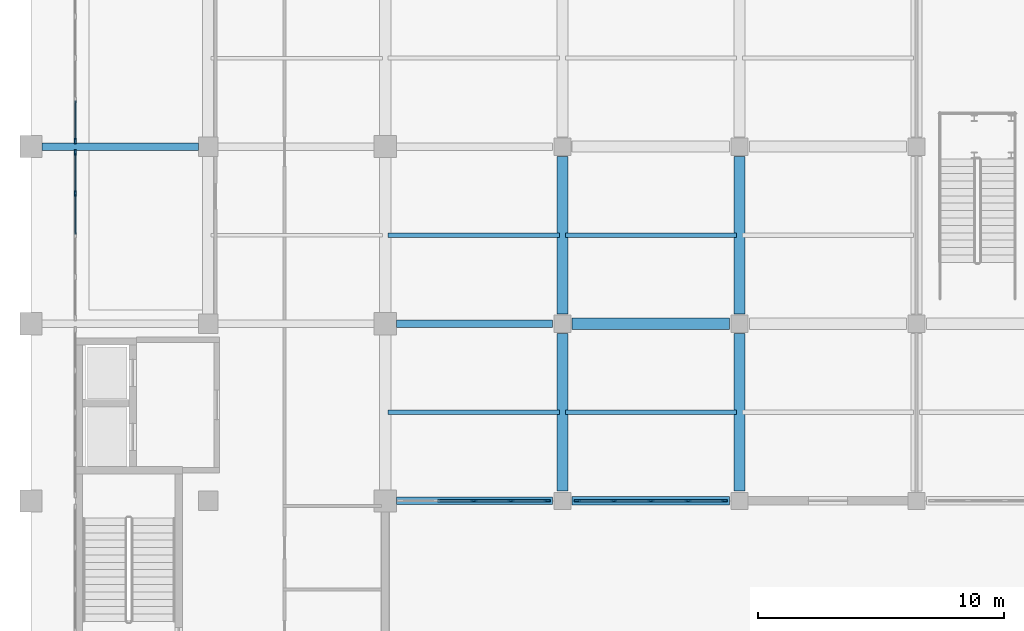
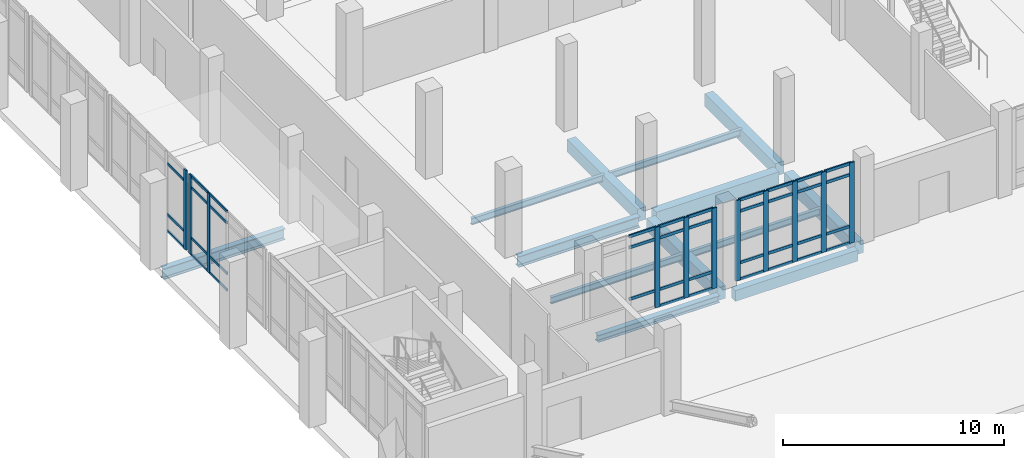
# One storey, part 10 of 59: 49 members, 13 beams, 4 elements without a shape of their own.
"""IFC4 building model written with IfcOpenShell, lengths in metres."""

from ifc_helpers import new_model, si_unit, direction, frame, origin, origin_2d, place, context, subcontext, project, spatial, rectangle, i_section, extrude, material, layer, layer_set, material_profile, profile_set, type_object, element, aggregate, save


model = new_model("IFC4")

# Units and contexts
model_context = context("Model", 3, precision=1e-05, world=origin(), true_north=direction((0.0, 1.0)))
body_context = subcontext(model_context, "Body", "Model", "MODEL_VIEW")
ifc_project = project(units=[si_unit("LENGTHUNIT", "METRE"), si_unit("AREAUNIT", "SQUARE_METRE"), si_unit("VOLUMEUNIT", "CUBIC_METRE"), si_unit("PLANEANGLEUNIT", "RADIAN"), si_unit("MASSUNIT", "GRAM", prefix="KILO")], contexts=[model_context])

# Site, building, storey
site_placement = place(None, origin())
site = spatial("IfcSite", under=ifc_project, at=site_placement, CompositionType="ELEMENT")
building_placement = place(site_placement, origin())
building = spatial("IfcBuilding", under=site, at=building_placement, Name="Valkovuoma Quantum and Materials Research Institute", CompositionType="ELEMENT")
storey_placement = place(building_placement, origin())
storey = spatial("IfcBuildingStorey", under=building, at=storey_placement, Name="L00", CompositionType="ELEMENT", Elevation=0.0)

# Beams
ifc_material_1 = material(Name="Steel S355J2", Category="steel")
ifc_material_profile_1 = material_profile(ifc_material_1, i_section(OverallWidth=0.300048828125, OverallDepth=0.389892578125, WebThickness=0.010986328125, FlangeThickness=0.01904296875, FilletRadius=0.027099609375, at=origin_2d()), Name="Steel S355J2")
ifc_profile_set_1 = profile_set([ifc_material_profile_1], Name="Steel S355J2")
beam_type_1 = type_object("IfcBeamType", Name="Beam-B-HEA400", PredefinedType="SPANDREL", material=ifc_profile_set_1)
beam_1_placement = place(storey_placement, frame((14.85009765625, 36.0, -0.594970703125), z_axis=(1.0, 0.0, 0.0), x_axis=(0.0, 1.0, 0.0)))
element("IfcBeam", 1, at=beam_1_placement, inside=storey, type_object=beam_type_1, Name="L00 beam X-0033", PredefinedType="SPANDREL", context=body_context, shape_type="SweptSolid", body=[
    extrude(i_section(OverallWidth=0.300048828125, OverallDepth=0.389892578125, WebThickness=0.010986328125, FlangeThickness=0.01904296875, FilletRadius=0.027099609375, at=origin_2d()), origin(), (0.0, 0.0, 1.0), 6.349853515625),
])
ifc_material_2 = material(Name="Steel S355J2", Category="steel")
ifc_material_profile_2 = material_profile(ifc_material_2, i_section(OverallWidth=0.300048828125, OverallDepth=0.60009765625, WebThickness=0.015380859375, FlangeThickness=0.030029296875, FilletRadius=0.027099609375, at=origin_2d()), Name="Steel S355J2")
ifc_profile_set_2 = profile_set([ifc_material_profile_2], Name="Steel S355J2")
beam_type_2 = type_object("IfcBeamType", Name="Beam-B-HEB600", PredefinedType="BEAM", material=ifc_profile_set_2)
beam_2_placement = place(storey_placement, frame((14.85009765625, 43.199951171875, -0.699951171875), z_axis=(1.0, 0.0, 0.0), x_axis=(0.0, 1.0, 0.0)))
element("IfcBeam", 2, at=beam_2_placement, inside=storey, type_object=beam_type_2, Name="L00 beam X-0056", PredefinedType="BEAM", context=body_context, shape_type="SweptSolid", body=[
    extrude(i_section(OverallWidth=0.300048828125, OverallDepth=0.60009765625, WebThickness=0.015380859375, FlangeThickness=0.030029296875, FilletRadius=0.027099609375, at=origin_2d()), origin(), (0.0, 0.0, 1.0), 6.349853515625),
])
beam_3_placement = place(storey_placement, frame((0.449951171875, 50.39990234375, -0.699951171875), z_axis=(1.0, 0.0, 0.0), x_axis=(0.0, 1.0, 0.0)))
element("IfcBeam", 3, at=beam_3_placement, inside=storey, type_object=beam_type_2, Name="L00 beam X-0074", PredefinedType="BEAM", context=body_context, shape_type="SweptSolid", body=[
    extrude(i_section(OverallWidth=0.300048828125, OverallDepth=0.60009765625, WebThickness=0.015380859375, FlangeThickness=0.030029296875, FilletRadius=0.027099609375, at=origin_2d()), origin(), (0.0, 0.0, 1.0), 6.35009765625),
])
ifc_material_3 = material(Name="Steel S355J2", Category="steel")
ifc_material_profile_3 = material_profile(ifc_material_3, i_section(OverallWidth=0.169921875, OverallDepth=0.360107421875, WebThickness=0.008056640625, FlangeThickness=0.0126953125, FilletRadius=0.01806640625, at=origin_2d()), Name="Steel S355J2")
ifc_profile_set_3 = profile_set([ifc_material_profile_3], Name="Steel S355J2")
beam_type_3 = type_object("IfcBeamType", Name="Beam-B-JST360", PredefinedType="JOIST", material=ifc_profile_set_3)
for number, where, z_axis, x_axis, name in (
    (4, (14.52001953125, 39.60009765625, -0.580078125), (1.0, 0.0, 0.0), (0.0, 1.0, 0.0), "L00 floor joist 0418"),
    (5, (21.719970703125, 39.60009765625, -0.580078125), (1.0, 0.0, 0.0), (0.0, 1.0, 0.0), "L00 floor joist 0419"),
    (6, (14.52001953125, 46.800048828125, -0.580078125), (1.0, 0.0, 0.0), (0.0, 1.0, 0.0), "L00 floor joist 0437"),
    (7, (21.719970703125, 46.800048828125, -0.580078125), (1.0, 0.0, 0.0), (0.0, 1.0, 0.0), "L00 floor joist 0438"),
):
    element("IfcBeam", number, at=place(storey_placement, frame(where, z_axis=z_axis, x_axis=x_axis)), inside=storey, type_object=beam_type_3, Name=name, PredefinedType="JOIST", context=body_context, shape_type="SweptSolid", body=[
        extrude(i_section(OverallWidth=0.169921875, OverallDepth=0.360107421875, WebThickness=0.008056640625, FlangeThickness=0.0126953125, FilletRadius=0.01806640625, at=origin_2d()), origin(), (0.0, 0.0, 1.0), 6.9599609375),
    ])
ifc_material_4 = material(Name="Concrete C40/50", Category="concrete")
ifc_material_profile_4 = material_profile(ifc_material_4, rectangle(XDim=0.449951171875, YDim=0.699951171875, at=origin_2d()), Name="Concrete C40/50")
ifc_profile_set_4 = profile_set([ifc_material_profile_4], Name="Concrete C40/50")
beam_type_4 = type_object("IfcBeamType", Name="Beam-B-RC700", PredefinedType="BEAM", material=ifc_profile_set_4)
beam_4_placement = place(storey_placement, frame((22.0, 43.199951171875, -0.75), z_axis=(1.0, 0.0, 0.0), x_axis=(0.0, 1.0, 0.0)))
element("IfcBeam", 8, at=beam_4_placement, inside=storey, type_object=beam_type_4, Name="L00 beam X-0057", PredefinedType="BEAM", context=body_context, shape_type="SweptSolid", body=[
    extrude(rectangle(XDim=0.449951171875, YDim=0.699951171875, at=origin_2d()), origin(), (0.0, 0.0, 1.0), 6.39990234375),
])
beam_5_placement = place(storey_placement, frame((21.60009765625, 36.39990234375, -0.75), z_axis=(0.0, 1.0, 0.0), x_axis=(-1.0, 0.0, 0.0)))
element("IfcBeam", 9, at=beam_5_placement, inside=storey, type_object=beam_type_4, Name="L00 beam Y-0216", PredefinedType="BEAM", context=body_context, shape_type="SweptSolid", body=[
    extrude(rectangle(XDim=0.449951171875, YDim=0.699951171875, at=origin_2d()), origin(), (0.0, 0.0, 1.0), 6.400146484375),
])
beam_6_placement = place(storey_placement, frame((21.60009765625, 43.60009765625, -0.75), z_axis=(0.0, 1.0, 0.0), x_axis=(-1.0, 0.0, 0.0)))
element("IfcBeam", 10, at=beam_6_placement, inside=storey, type_object=beam_type_4, Name="L00 beam Y-0217", PredefinedType="BEAM", context=body_context, shape_type="SweptSolid", body=[
    extrude(rectangle(XDim=0.449951171875, YDim=0.699951171875, at=origin_2d()), origin(), (0.0, 0.0, 1.0), 6.39990234375),
])
beam_7_placement = place(storey_placement, frame((28.800048828125, 36.39990234375, -0.75), z_axis=(0.0, 1.0, 0.0), x_axis=(-1.0, 0.0, 0.0)))
element("IfcBeam", 11, at=beam_7_placement, inside=storey, type_object=beam_type_4, Name="L00 beam Y-0226", PredefinedType="BEAM", context=body_context, shape_type="SweptSolid", body=[
    extrude(rectangle(XDim=0.449951171875, YDim=0.699951171875, at=origin_2d()), origin(), (0.0, 0.0, 1.0), 6.400146484375),
])
beam_8_placement = place(storey_placement, frame((28.800048828125, 43.60009765625, -0.75), z_axis=(0.0, 1.0, 0.0), x_axis=(-1.0, 0.0, 0.0)))
element("IfcBeam", 12, at=beam_8_placement, inside=storey, type_object=beam_type_4, Name="L00 beam Y-0227", PredefinedType="BEAM", context=body_context, shape_type="SweptSolid", body=[
    extrude(rectangle(XDim=0.449951171875, YDim=0.699951171875, at=origin_2d()), origin(), (0.0, 0.0, 1.0), 6.39990234375),
])
ifc_material_5 = material(Name="Concrete C40/50", Category="concrete")
ifc_material_profile_5 = material_profile(ifc_material_5, rectangle(XDim=0.35009765625, YDim=0.60009765625, at=origin_2d()), Name="Concrete C40/50")
ifc_profile_set_5 = profile_set([ifc_material_profile_5], Name="Concrete C40/50")
beam_type_5 = type_object("IfcBeamType", Name="Beam-B-SPN600", PredefinedType="SPANDREL", material=ifc_profile_set_5)
beam_9_placement = place(storey_placement, frame((22.0, 36.0, -0.699951171875), z_axis=(1.0, 0.0, 0.0), x_axis=(0.0, 1.0, 0.0)))
element("IfcBeam", 13, at=beam_9_placement, inside=storey, type_object=beam_type_5, Name="L00 beam X-0034", PredefinedType="SPANDREL", context=body_context, shape_type="SweptSolid", body=[
    extrude(rectangle(XDim=0.35009765625, YDim=0.60009765625, at=origin_2d()), origin(), (0.0, 0.0, 1.0), 6.39990234375),
])

# Curtain wall, members
ifc_material_6 = material(Name="Thermally broken aluminium and triple low-E glazing", Category="aluminium")
ifc_layer_1 = layer(ifc_material_6, 0.219970703125)
ifc_layer_set_1 = layer_set([ifc_layer_1], Name="Thermally broken aluminium and triple low-E glazing")
curtain_wall_type_1 = type_object("IfcCurtainWallType", Name="CW-CW-03", PredefinedType="NOTDEFINED", material=ifc_layer_set_1)
curtain_wall_1_placement = place(storey_placement, origin())
curtain_wall_1 = element("IfcCurtainWall", 14, at=curtain_wall_1_placement, inside=storey, type_object=curtain_wall_type_1, Name="L00 curtain wall 002", PredefinedType="NOTDEFINED")
ifc_material_7 = material(Name="Anodised aluminium 6060-T66", Category="aluminium")
ifc_material_profile_6 = material_profile(ifc_material_7, rectangle(XDim=0.074951171875, YDim=0.219970703125, at=origin_2d()), Name="Anodised aluminium 6060-T66")
ifc_profile_set_6 = profile_set([ifc_material_profile_6], Name="Anodised aluminium 6060-T66")
member_type_1 = type_object("IfcMemberType", Name="CWMull-CWM-02", PredefinedType="MULLION", material=ifc_profile_set_6)
member_1_placement = place(storey_placement, frame((1.800048828125, 48.5, 0.0), z_axis=(0.0, 0.0, 1.0), x_axis=(-1.0, 0.0, 0.0)))
member_1 = element("IfcMember", 15, at=member_1_placement, type_object=member_type_1, Name="CW-03 mullion 4", PredefinedType="MULLION", context=body_context, shape_type="SweptSolid", body=[
    extrude(rectangle(XDim=0.074951171875, YDim=0.219970703125, at=origin_2d()), origin(), (0.0, 0.0, 1.0), 4.39990234375),
])
member_2_placement = place(storey_placement, frame((1.800048828125, 50.16259765625, 0.0), z_axis=(0.0, 0.0, 1.0), x_axis=(-1.0, 0.0, 0.0)))
member_2 = element("IfcMember", 16, at=member_2_placement, type_object=member_type_1, Name="CW-03 mullion 5", PredefinedType="MULLION", context=body_context, shape_type="SweptSolid", body=[
    extrude(rectangle(XDim=0.074951171875, YDim=0.219970703125, at=origin_2d()), origin(), (0.0, 0.0, 1.0), 4.39990234375),
])

# Curtain wall, member
curtain_wall_2_placement = place(storey_placement, origin())
curtain_wall_2 = element("IfcCurtainWall", 17, at=curtain_wall_2_placement, inside=storey, type_object=curtain_wall_type_1, Name="L00 curtain wall 003", PredefinedType="NOTDEFINED")
member_3_placement = place(storey_placement, frame((1.800048828125, 50.637451171875, 0.0), z_axis=(0.0, 0.0, 1.0), x_axis=(-1.0, 0.0, 0.0)))
member_3 = element("IfcMember", 18, at=member_3_placement, type_object=member_type_1, Name="CW-03 mullion 1", PredefinedType="MULLION", context=body_context, shape_type="SweptSolid", body=[
    extrude(rectangle(XDim=0.074951171875, YDim=0.219970703125, at=origin_2d()), origin(), (0.0, 0.0, 1.0), 4.39990234375),
])

# Curtain wall, members
ifc_material_8 = material(Name="Thermally broken aluminium and triple low-E glazing", Category="aluminium")
ifc_layer_2 = layer(ifc_material_8, 0.219970703125)
ifc_layer_set_2 = layer_set([ifc_layer_2], Name="Thermally broken aluminium and triple low-E glazing")
curtain_wall_type_2 = type_object("IfcCurtainWallType", Name="CW-CW-02", PredefinedType="NOTDEFINED", material=ifc_layer_set_2)
curtain_wall_3_placement = place(storey_placement, origin())
curtain_wall_3 = element("IfcCurtainWall", 19, at=curtain_wall_3_placement, inside=storey, type_object=curtain_wall_type_2, Name="L00 curtain wall 147", PredefinedType="NOTDEFINED")
ifc_material_9 = material(Name="Anodised aluminium 6060-T66", Category="aluminium")
ifc_material_profile_7 = material_profile(ifc_material_9, rectangle(XDim=0.080078125, YDim=0.260009765625, at=origin_2d()), Name="Anodised aluminium 6060-T66")
ifc_profile_set_7 = profile_set([ifc_material_profile_7], Name="Anodised aluminium 6060-T66")
member_type_2 = type_object("IfcMemberType", Name="CWMull-CWM-03", PredefinedType="MULLION", material=ifc_profile_set_7)
member_4_placement = place(storey_placement, frame((18.0, 36.0, 0.0), z_axis=(0.0, 0.0, 1.0), x_axis=(0.0, 1.0, 0.0)))
member_4 = element("IfcMember", 20, at=member_4_placement, type_object=member_type_2, Name="CW-02 mullion 3", PredefinedType="MULLION", context=body_context, shape_type="SweptSolid", body=[
    extrude(rectangle(XDim=0.080078125, YDim=0.260009765625, at=origin_2d()), origin(), (0.0, 0.0, 1.0), 4.449951171875),
])
member_5_placement = place(storey_placement, frame((19.510009765625, 36.0, 0.0), z_axis=(0.0, 0.0, 1.0), x_axis=(0.0, 1.0, 0.0)))
member_5 = element("IfcMember", 21, at=member_5_placement, type_object=member_type_2, Name="CW-02 mullion 4", PredefinedType="MULLION", context=body_context, shape_type="SweptSolid", body=[
    extrude(rectangle(XDim=0.080078125, YDim=0.260009765625, at=origin_2d()), origin(), (0.0, 0.0, 1.0), 4.449951171875),
])
member_6_placement = place(storey_placement, frame((20.97998046875, 36.0, 0.0), z_axis=(0.0, 0.0, 1.0), x_axis=(0.0, 1.0, 0.0)))
member_6 = element("IfcMember", 22, at=member_6_placement, type_object=member_type_2, Name="CW-02 mullion 5", PredefinedType="MULLION", context=body_context, shape_type="SweptSolid", body=[
    extrude(rectangle(XDim=0.080078125, YDim=0.260009765625, at=origin_2d()), origin(), (0.0, 0.0, 1.0), 4.449951171875),
])

curtain_wall_4_placement = place(storey_placement, origin())
curtain_wall_4 = element("IfcCurtainWall", 23, at=curtain_wall_4_placement, inside=storey, type_object=curtain_wall_type_2, Name="L00 curtain wall 148", PredefinedType="NOTDEFINED")
member_7_placement = place(storey_placement, frame((22.219970703125, 36.0, 0.0), z_axis=(0.0, 0.0, 1.0), x_axis=(0.0, 1.0, 0.0)))
member_7 = element("IfcMember", 24, at=member_7_placement, type_object=member_type_2, Name="CW-02 mullion 1", PredefinedType="MULLION", context=body_context, shape_type="SweptSolid", body=[
    extrude(rectangle(XDim=0.080078125, YDim=0.260009765625, at=origin_2d()), origin(), (0.0, 0.0, 1.0), 4.449951171875),
])
member_8_placement = place(storey_placement, frame((23.68994140625, 36.0, 0.0), z_axis=(0.0, 0.0, 1.0), x_axis=(0.0, 1.0, 0.0)))
member_8 = element("IfcMember", 25, at=member_8_placement, type_object=member_type_2, Name="CW-02 mullion 2", PredefinedType="MULLION", context=body_context, shape_type="SweptSolid", body=[
    extrude(rectangle(XDim=0.080078125, YDim=0.260009765625, at=origin_2d()), origin(), (0.0, 0.0, 1.0), 4.449951171875),
])
member_9_placement = place(storey_placement, frame((25.199951171875, 36.0, 0.0), z_axis=(0.0, 0.0, 1.0), x_axis=(0.0, 1.0, 0.0)))
member_9 = element("IfcMember", 26, at=member_9_placement, type_object=member_type_2, Name="CW-02 mullion 3", PredefinedType="MULLION", context=body_context, shape_type="SweptSolid", body=[
    extrude(rectangle(XDim=0.080078125, YDim=0.260009765625, at=origin_2d()), origin(), (0.0, 0.0, 1.0), 4.449951171875),
])
member_10_placement = place(storey_placement, frame((26.7099609375, 36.0, 0.0), z_axis=(0.0, 0.0, 1.0), x_axis=(0.0, 1.0, 0.0)))
member_10 = element("IfcMember", 27, at=member_10_placement, type_object=member_type_2, Name="CW-02 mullion 4", PredefinedType="MULLION", context=body_context, shape_type="SweptSolid", body=[
    extrude(rectangle(XDim=0.080078125, YDim=0.260009765625, at=origin_2d()), origin(), (0.0, 0.0, 1.0), 4.449951171875),
])
member_11_placement = place(storey_placement, frame((28.179931640625, 36.0, 0.0), z_axis=(0.0, 0.0, 1.0), x_axis=(0.0, 1.0, 0.0)))
member_11 = element("IfcMember", 28, at=member_11_placement, type_object=member_type_2, Name="CW-02 mullion 5", PredefinedType="MULLION", context=body_context, shape_type="SweptSolid", body=[
    extrude(rectangle(XDim=0.080078125, YDim=0.260009765625, at=origin_2d()), origin(), (0.0, 0.0, 1.0), 4.449951171875),
])

# Member
ifc_material_10 = material(Name="Anodised aluminium 6060-T66", Category="aluminium")
ifc_material_profile_8 = material_profile(ifc_material_10, rectangle(XDim=0.06494140625, YDim=0.139892578125, at=origin_2d()), Name="Anodised aluminium 6060-T66")
ifc_profile_set_8 = profile_set([ifc_material_profile_8], Name="Anodised aluminium 6060-T66")
member_type_3 = type_object("IfcMemberType", Name="CWTran-CWT-01", PredefinedType="USERDEFINED", material=ifc_profile_set_8)
member_12_placement = place(storey_placement, frame((1.800048828125, 46.83740234375, 0.032470703125), z_axis=(0.0, 1.0, 0.0), x_axis=(-1.0, 0.0, 0.0)))
member_12 = element("IfcMember", 29, at=member_12_placement, type_object=member_type_3, Name="CW-03 transom 3.1", ObjectType="TRANSOM", PredefinedType="USERDEFINED", context=body_context, shape_type="SweptSolid", body=[
    extrude(rectangle(XDim=0.06494140625, YDim=0.139892578125, at=origin_2d()), origin(), (0.0, 0.0, 1.0), 1.625),
])

member_13_placement = place(storey_placement, frame((1.800048828125, 46.83740234375, 0.949951171875), z_axis=(0.0, 1.0, 0.0), x_axis=(-1.0, 0.0, 0.0)))
member_13 = element("IfcMember", 30, at=member_13_placement, type_object=member_type_3, Name="CW-03 transom 3.2", ObjectType="TRANSOM", PredefinedType="USERDEFINED", context=body_context, shape_type="SweptSolid", body=[
    extrude(rectangle(XDim=0.06494140625, YDim=0.139892578125, at=origin_2d()), origin(), (0.0, 0.0, 1.0), 1.625),
])

member_14_placement = place(storey_placement, frame((1.800048828125, 46.83740234375, 3.75), z_axis=(0.0, 1.0, 0.0), x_axis=(-1.0, 0.0, 0.0)))
member_14 = element("IfcMember", 31, at=member_14_placement, type_object=member_type_3, Name="CW-03 transom 3.3", ObjectType="TRANSOM", PredefinedType="USERDEFINED", context=body_context, shape_type="SweptSolid", body=[
    extrude(rectangle(XDim=0.06494140625, YDim=0.139892578125, at=origin_2d()), origin(), (0.0, 0.0, 1.0), 1.625),
])

member_15_placement = place(storey_placement, frame((1.800048828125, 46.83740234375, 4.367431640625), z_axis=(0.0, 1.0, 0.0), x_axis=(-1.0, 0.0, 0.0)))
member_15 = element("IfcMember", 32, at=member_15_placement, type_object=member_type_3, Name="CW-03 transom 3.4", ObjectType="TRANSOM", PredefinedType="USERDEFINED", context=body_context, shape_type="SweptSolid", body=[
    extrude(rectangle(XDim=0.06494140625, YDim=0.139892578125, at=origin_2d()), origin(), (0.0, 0.0, 1.0), 1.625),
])

member_16_placement = place(storey_placement, frame((1.800048828125, 48.53759765625, 0.032470703125), z_axis=(0.0, 1.0, 0.0), x_axis=(-1.0, 0.0, 0.0)))
member_16 = element("IfcMember", 33, at=member_16_placement, type_object=member_type_3, Name="CW-03 transom 4.1", ObjectType="TRANSOM", PredefinedType="USERDEFINED", context=body_context, shape_type="SweptSolid", body=[
    extrude(rectangle(XDim=0.06494140625, YDim=0.139892578125, at=origin_2d()), origin(), (0.0, 0.0, 1.0), 1.58740234375),
])

member_17_placement = place(storey_placement, frame((1.800048828125, 48.53759765625, 0.949951171875), z_axis=(0.0, 1.0, 0.0), x_axis=(-1.0, 0.0, 0.0)))
member_17 = element("IfcMember", 34, at=member_17_placement, type_object=member_type_3, Name="CW-03 transom 4.2", ObjectType="TRANSOM", PredefinedType="USERDEFINED", context=body_context, shape_type="SweptSolid", body=[
    extrude(rectangle(XDim=0.06494140625, YDim=0.139892578125, at=origin_2d()), origin(), (0.0, 0.0, 1.0), 1.58740234375),
])

member_18_placement = place(storey_placement, frame((1.800048828125, 48.53759765625, 3.75), z_axis=(0.0, 1.0, 0.0), x_axis=(-1.0, 0.0, 0.0)))
member_18 = element("IfcMember", 35, at=member_18_placement, type_object=member_type_3, Name="CW-03 transom 4.3", ObjectType="TRANSOM", PredefinedType="USERDEFINED", context=body_context, shape_type="SweptSolid", body=[
    extrude(rectangle(XDim=0.06494140625, YDim=0.139892578125, at=origin_2d()), origin(), (0.0, 0.0, 1.0), 1.58740234375),
])

member_19_placement = place(storey_placement, frame((1.800048828125, 48.53759765625, 4.367431640625), z_axis=(0.0, 1.0, 0.0), x_axis=(-1.0, 0.0, 0.0)))
member_19 = element("IfcMember", 36, at=member_19_placement, type_object=member_type_3, Name="CW-03 transom 4.4", ObjectType="TRANSOM", PredefinedType="USERDEFINED", context=body_context, shape_type="SweptSolid", body=[
    extrude(rectangle(XDim=0.06494140625, YDim=0.139892578125, at=origin_2d()), origin(), (0.0, 0.0, 1.0), 1.58740234375),
])

aggregate(curtain_wall_1, [member_1, member_2, member_12, member_13, member_14, member_15, member_16, member_17, member_18, member_19])

member_20_placement = place(storey_placement, frame((1.800048828125, 50.675048828125, 0.032470703125), z_axis=(0.0, 1.0, 0.0), x_axis=(-1.0, 0.0, 0.0)))
member_20 = element("IfcMember", 37, at=member_20_placement, type_object=member_type_3, Name="CW-03 transom 1.1", ObjectType="TRANSOM", PredefinedType="USERDEFINED", context=body_context, shape_type="SweptSolid", body=[
    extrude(rectangle(XDim=0.06494140625, YDim=0.139892578125, at=origin_2d()), origin(), (0.0, 0.0, 1.0), 1.58740234375),
])

member_21_placement = place(storey_placement, frame((1.800048828125, 50.675048828125, 0.949951171875), z_axis=(0.0, 1.0, 0.0), x_axis=(-1.0, 0.0, 0.0)))
member_21 = element("IfcMember", 38, at=member_21_placement, type_object=member_type_3, Name="CW-03 transom 1.2", ObjectType="TRANSOM", PredefinedType="USERDEFINED", context=body_context, shape_type="SweptSolid", body=[
    extrude(rectangle(XDim=0.06494140625, YDim=0.139892578125, at=origin_2d()), origin(), (0.0, 0.0, 1.0), 1.58740234375),
])

member_22_placement = place(storey_placement, frame((1.800048828125, 50.675048828125, 3.75), z_axis=(0.0, 1.0, 0.0), x_axis=(-1.0, 0.0, 0.0)))
member_22 = element("IfcMember", 39, at=member_22_placement, type_object=member_type_3, Name="CW-03 transom 1.3", ObjectType="TRANSOM", PredefinedType="USERDEFINED", context=body_context, shape_type="SweptSolid", body=[
    extrude(rectangle(XDim=0.06494140625, YDim=0.139892578125, at=origin_2d()), origin(), (0.0, 0.0, 1.0), 1.58740234375),
])

aggregate(curtain_wall_2, [member_3, member_20, member_21, member_22])

ifc_material_11 = material(Name="Anodised aluminium 6060-T66", Category="aluminium")
ifc_material_profile_9 = material_profile(ifc_material_11, rectangle(XDim=0.074951171875, YDim=0.159912109375, at=origin_2d()), Name="Anodised aluminium 6060-T66")
ifc_profile_set_9 = profile_set([ifc_material_profile_9], Name="Anodised aluminium 6060-T66")
member_type_4 = type_object("IfcMemberType", Name="CWTran-CWT-02", PredefinedType="USERDEFINED", material=ifc_profile_set_9)
member_23_placement = place(storey_placement, frame((16.530029296875, 36.0, 0.949951171875), z_axis=(1.0, 0.0, 0.0), x_axis=(0.0, 1.0, 0.0)))
member_23 = element("IfcMember", 40, at=member_23_placement, type_object=member_type_4, Name="CW-02 transom 2.2", ObjectType="TRANSOM", PredefinedType="USERDEFINED", context=body_context, shape_type="SweptSolid", body=[
    extrude(rectangle(XDim=0.074951171875, YDim=0.159912109375, at=origin_2d()), origin(), (0.0, 0.0, 1.0), 1.429931640625),
])

member_24_placement = place(storey_placement, frame((16.530029296875, 36.0, 3.800048828125), z_axis=(1.0, 0.0, 0.0), x_axis=(0.0, 1.0, 0.0)))
member_24 = element("IfcMember", 41, at=member_24_placement, type_object=member_type_4, Name="CW-02 transom 2.3", ObjectType="TRANSOM", PredefinedType="USERDEFINED", context=body_context, shape_type="SweptSolid", body=[
    extrude(rectangle(XDim=0.074951171875, YDim=0.159912109375, at=origin_2d()), origin(), (0.0, 0.0, 1.0), 1.429931640625),
])

member_25_placement = place(storey_placement, frame((16.530029296875, 36.0, 4.41259765625), z_axis=(1.0, 0.0, 0.0), x_axis=(0.0, 1.0, 0.0)))
member_25 = element("IfcMember", 42, at=member_25_placement, type_object=member_type_4, Name="CW-02 transom 2.4", ObjectType="TRANSOM", PredefinedType="USERDEFINED", context=body_context, shape_type="SweptSolid", body=[
    extrude(rectangle(XDim=0.074951171875, YDim=0.159912109375, at=origin_2d()), origin(), (0.0, 0.0, 1.0), 1.429931640625),
])

member_26_placement = place(storey_placement, frame((18.0400390625, 36.0, 0.03759765625), z_axis=(1.0, 0.0, 0.0), x_axis=(0.0, 1.0, 0.0)))
member_26 = element("IfcMember", 43, at=member_26_placement, type_object=member_type_4, Name="CW-02 transom 3.1", ObjectType="TRANSOM", PredefinedType="USERDEFINED", context=body_context, shape_type="SweptSolid", body=[
    extrude(rectangle(XDim=0.074951171875, YDim=0.159912109375, at=origin_2d()), origin(), (0.0, 0.0, 1.0), 1.429931640625),
])

member_27_placement = place(storey_placement, frame((18.0400390625, 36.0, 0.949951171875), z_axis=(1.0, 0.0, 0.0), x_axis=(0.0, 1.0, 0.0)))
member_27 = element("IfcMember", 44, at=member_27_placement, type_object=member_type_4, Name="CW-02 transom 3.2", ObjectType="TRANSOM", PredefinedType="USERDEFINED", context=body_context, shape_type="SweptSolid", body=[
    extrude(rectangle(XDim=0.074951171875, YDim=0.159912109375, at=origin_2d()), origin(), (0.0, 0.0, 1.0), 1.429931640625),
])

member_28_placement = place(storey_placement, frame((18.0400390625, 36.0, 3.800048828125), z_axis=(1.0, 0.0, 0.0), x_axis=(0.0, 1.0, 0.0)))
member_28 = element("IfcMember", 45, at=member_28_placement, type_object=member_type_4, Name="CW-02 transom 3.3", ObjectType="TRANSOM", PredefinedType="USERDEFINED", context=body_context, shape_type="SweptSolid", body=[
    extrude(rectangle(XDim=0.074951171875, YDim=0.159912109375, at=origin_2d()), origin(), (0.0, 0.0, 1.0), 1.429931640625),
])

member_29_placement = place(storey_placement, frame((18.0400390625, 36.0, 4.41259765625), z_axis=(1.0, 0.0, 0.0), x_axis=(0.0, 1.0, 0.0)))
member_29 = element("IfcMember", 46, at=member_29_placement, type_object=member_type_4, Name="CW-02 transom 3.4", ObjectType="TRANSOM", PredefinedType="USERDEFINED", context=body_context, shape_type="SweptSolid", body=[
    extrude(rectangle(XDim=0.074951171875, YDim=0.159912109375, at=origin_2d()), origin(), (0.0, 0.0, 1.0), 1.429931640625),
])

member_30_placement = place(storey_placement, frame((19.550048828125, 36.0, 0.03759765625), z_axis=(1.0, 0.0, 0.0), x_axis=(0.0, 1.0, 0.0)))
member_30 = element("IfcMember", 47, at=member_30_placement, type_object=member_type_4, Name="CW-02 transom 4.1", ObjectType="TRANSOM", PredefinedType="USERDEFINED", context=body_context, shape_type="SweptSolid", body=[
    extrude(rectangle(XDim=0.074951171875, YDim=0.159912109375, at=origin_2d()), origin(), (0.0, 0.0, 1.0), 1.389892578125),
])

member_31_placement = place(storey_placement, frame((19.550048828125, 36.0, 0.949951171875), z_axis=(1.0, 0.0, 0.0), x_axis=(0.0, 1.0, 0.0)))
member_31 = element("IfcMember", 48, at=member_31_placement, type_object=member_type_4, Name="CW-02 transom 4.2", ObjectType="TRANSOM", PredefinedType="USERDEFINED", context=body_context, shape_type="SweptSolid", body=[
    extrude(rectangle(XDim=0.074951171875, YDim=0.159912109375, at=origin_2d()), origin(), (0.0, 0.0, 1.0), 1.389892578125),
])

member_32_placement = place(storey_placement, frame((19.550048828125, 36.0, 3.800048828125), z_axis=(1.0, 0.0, 0.0), x_axis=(0.0, 1.0, 0.0)))
member_32 = element("IfcMember", 49, at=member_32_placement, type_object=member_type_4, Name="CW-02 transom 4.3", ObjectType="TRANSOM", PredefinedType="USERDEFINED", context=body_context, shape_type="SweptSolid", body=[
    extrude(rectangle(XDim=0.074951171875, YDim=0.159912109375, at=origin_2d()), origin(), (0.0, 0.0, 1.0), 1.389892578125),
])

member_33_placement = place(storey_placement, frame((19.550048828125, 36.0, 4.41259765625), z_axis=(1.0, 0.0, 0.0), x_axis=(0.0, 1.0, 0.0)))
member_33 = element("IfcMember", 50, at=member_33_placement, type_object=member_type_4, Name="CW-02 transom 4.4", ObjectType="TRANSOM", PredefinedType="USERDEFINED", context=body_context, shape_type="SweptSolid", body=[
    extrude(rectangle(XDim=0.074951171875, YDim=0.159912109375, at=origin_2d()), origin(), (0.0, 0.0, 1.0), 1.389892578125),
])

aggregate(curtain_wall_3, [member_4, member_5, member_6, member_23, member_24, member_25, member_26, member_27, member_28, member_29, member_30, member_31, member_32, member_33])

member_34_placement = place(storey_placement, frame((22.260009765625, 36.0, 0.03759765625), z_axis=(1.0, 0.0, 0.0), x_axis=(0.0, 1.0, 0.0)))
member_34 = element("IfcMember", 51, at=member_34_placement, type_object=member_type_4, Name="CW-02 transom 1.1", ObjectType="TRANSOM", PredefinedType="USERDEFINED", context=body_context, shape_type="SweptSolid", body=[
    extrude(rectangle(XDim=0.074951171875, YDim=0.159912109375, at=origin_2d()), origin(), (0.0, 0.0, 1.0), 1.389892578125),
])

member_35_placement = place(storey_placement, frame((22.260009765625, 36.0, 0.949951171875), z_axis=(1.0, 0.0, 0.0), x_axis=(0.0, 1.0, 0.0)))
member_35 = element("IfcMember", 52, at=member_35_placement, type_object=member_type_4, Name="CW-02 transom 1.2", ObjectType="TRANSOM", PredefinedType="USERDEFINED", context=body_context, shape_type="SweptSolid", body=[
    extrude(rectangle(XDim=0.074951171875, YDim=0.159912109375, at=origin_2d()), origin(), (0.0, 0.0, 1.0), 1.389892578125),
])

member_36_placement = place(storey_placement, frame((22.260009765625, 36.0, 3.800048828125), z_axis=(1.0, 0.0, 0.0), x_axis=(0.0, 1.0, 0.0)))
member_36 = element("IfcMember", 53, at=member_36_placement, type_object=member_type_4, Name="CW-02 transom 1.3", ObjectType="TRANSOM", PredefinedType="USERDEFINED", context=body_context, shape_type="SweptSolid", body=[
    extrude(rectangle(XDim=0.074951171875, YDim=0.159912109375, at=origin_2d()), origin(), (0.0, 0.0, 1.0), 1.389892578125),
])

member_37_placement = place(storey_placement, frame((22.260009765625, 36.0, 4.41259765625), z_axis=(1.0, 0.0, 0.0), x_axis=(0.0, 1.0, 0.0)))
member_37 = element("IfcMember", 54, at=member_37_placement, type_object=member_type_4, Name="CW-02 transom 1.4", ObjectType="TRANSOM", PredefinedType="USERDEFINED", context=body_context, shape_type="SweptSolid", body=[
    extrude(rectangle(XDim=0.074951171875, YDim=0.159912109375, at=origin_2d()), origin(), (0.0, 0.0, 1.0), 1.389892578125),
])

member_38_placement = place(storey_placement, frame((23.72998046875, 36.0, 0.03759765625), z_axis=(1.0, 0.0, 0.0), x_axis=(0.0, 1.0, 0.0)))
member_38 = element("IfcMember", 55, at=member_38_placement, type_object=member_type_4, Name="CW-02 transom 2.1", ObjectType="TRANSOM", PredefinedType="USERDEFINED", context=body_context, shape_type="SweptSolid", body=[
    extrude(rectangle(XDim=0.074951171875, YDim=0.159912109375, at=origin_2d()), origin(), (0.0, 0.0, 1.0), 1.429931640625),
])

member_39_placement = place(storey_placement, frame((23.72998046875, 36.0, 0.949951171875), z_axis=(1.0, 0.0, 0.0), x_axis=(0.0, 1.0, 0.0)))
member_39 = element("IfcMember", 56, at=member_39_placement, type_object=member_type_4, Name="CW-02 transom 2.2", ObjectType="TRANSOM", PredefinedType="USERDEFINED", context=body_context, shape_type="SweptSolid", body=[
    extrude(rectangle(XDim=0.074951171875, YDim=0.159912109375, at=origin_2d()), origin(), (0.0, 0.0, 1.0), 1.429931640625),
])

member_40_placement = place(storey_placement, frame((23.72998046875, 36.0, 3.800048828125), z_axis=(1.0, 0.0, 0.0), x_axis=(0.0, 1.0, 0.0)))
member_40 = element("IfcMember", 57, at=member_40_placement, type_object=member_type_4, Name="CW-02 transom 2.3", ObjectType="TRANSOM", PredefinedType="USERDEFINED", context=body_context, shape_type="SweptSolid", body=[
    extrude(rectangle(XDim=0.074951171875, YDim=0.159912109375, at=origin_2d()), origin(), (0.0, 0.0, 1.0), 1.429931640625),
])

member_41_placement = place(storey_placement, frame((23.72998046875, 36.0, 4.41259765625), z_axis=(1.0, 0.0, 0.0), x_axis=(0.0, 1.0, 0.0)))
member_41 = element("IfcMember", 58, at=member_41_placement, type_object=member_type_4, Name="CW-02 transom 2.4", ObjectType="TRANSOM", PredefinedType="USERDEFINED", context=body_context, shape_type="SweptSolid", body=[
    extrude(rectangle(XDim=0.074951171875, YDim=0.159912109375, at=origin_2d()), origin(), (0.0, 0.0, 1.0), 1.429931640625),
])

member_42_placement = place(storey_placement, frame((25.239990234375, 36.0, 0.03759765625), z_axis=(1.0, 0.0, 0.0), x_axis=(0.0, 1.0, 0.0)))
member_42 = element("IfcMember", 59, at=member_42_placement, type_object=member_type_4, Name="CW-02 transom 3.1", ObjectType="TRANSOM", PredefinedType="USERDEFINED", context=body_context, shape_type="SweptSolid", body=[
    extrude(rectangle(XDim=0.074951171875, YDim=0.159912109375, at=origin_2d()), origin(), (0.0, 0.0, 1.0), 1.429931640625),
])

member_43_placement = place(storey_placement, frame((25.239990234375, 36.0, 0.949951171875), z_axis=(1.0, 0.0, 0.0), x_axis=(0.0, 1.0, 0.0)))
member_43 = element("IfcMember", 60, at=member_43_placement, type_object=member_type_4, Name="CW-02 transom 3.2", ObjectType="TRANSOM", PredefinedType="USERDEFINED", context=body_context, shape_type="SweptSolid", body=[
    extrude(rectangle(XDim=0.074951171875, YDim=0.159912109375, at=origin_2d()), origin(), (0.0, 0.0, 1.0), 1.429931640625),
])

member_44_placement = place(storey_placement, frame((25.239990234375, 36.0, 3.800048828125), z_axis=(1.0, 0.0, 0.0), x_axis=(0.0, 1.0, 0.0)))
member_44 = element("IfcMember", 61, at=member_44_placement, type_object=member_type_4, Name="CW-02 transom 3.3", ObjectType="TRANSOM", PredefinedType="USERDEFINED", context=body_context, shape_type="SweptSolid", body=[
    extrude(rectangle(XDim=0.074951171875, YDim=0.159912109375, at=origin_2d()), origin(), (0.0, 0.0, 1.0), 1.429931640625),
])

member_45_placement = place(storey_placement, frame((25.239990234375, 36.0, 4.41259765625), z_axis=(1.0, 0.0, 0.0), x_axis=(0.0, 1.0, 0.0)))
member_45 = element("IfcMember", 62, at=member_45_placement, type_object=member_type_4, Name="CW-02 transom 3.4", ObjectType="TRANSOM", PredefinedType="USERDEFINED", context=body_context, shape_type="SweptSolid", body=[
    extrude(rectangle(XDim=0.074951171875, YDim=0.159912109375, at=origin_2d()), origin(), (0.0, 0.0, 1.0), 1.429931640625),
])

member_46_placement = place(storey_placement, frame((26.75, 36.0, 0.03759765625), z_axis=(1.0, 0.0, 0.0), x_axis=(0.0, 1.0, 0.0)))
member_46 = element("IfcMember", 63, at=member_46_placement, type_object=member_type_4, Name="CW-02 transom 4.1", ObjectType="TRANSOM", PredefinedType="USERDEFINED", context=body_context, shape_type="SweptSolid", body=[
    extrude(rectangle(XDim=0.074951171875, YDim=0.159912109375, at=origin_2d()), origin(), (0.0, 0.0, 1.0), 1.389892578125),
])

member_47_placement = place(storey_placement, frame((26.75, 36.0, 0.949951171875), z_axis=(1.0, 0.0, 0.0), x_axis=(0.0, 1.0, 0.0)))
member_47 = element("IfcMember", 64, at=member_47_placement, type_object=member_type_4, Name="CW-02 transom 4.2", ObjectType="TRANSOM", PredefinedType="USERDEFINED", context=body_context, shape_type="SweptSolid", body=[
    extrude(rectangle(XDim=0.074951171875, YDim=0.159912109375, at=origin_2d()), origin(), (0.0, 0.0, 1.0), 1.389892578125),
])

member_48_placement = place(storey_placement, frame((26.75, 36.0, 3.800048828125), z_axis=(1.0, 0.0, 0.0), x_axis=(0.0, 1.0, 0.0)))
member_48 = element("IfcMember", 65, at=member_48_placement, type_object=member_type_4, Name="CW-02 transom 4.3", ObjectType="TRANSOM", PredefinedType="USERDEFINED", context=body_context, shape_type="SweptSolid", body=[
    extrude(rectangle(XDim=0.074951171875, YDim=0.159912109375, at=origin_2d()), origin(), (0.0, 0.0, 1.0), 1.389892578125),
])

member_49_placement = place(storey_placement, frame((26.75, 36.0, 4.41259765625), z_axis=(1.0, 0.0, 0.0), x_axis=(0.0, 1.0, 0.0)))
member_49 = element("IfcMember", 66, at=member_49_placement, type_object=member_type_4, Name="CW-02 transom 4.4", ObjectType="TRANSOM", PredefinedType="USERDEFINED", context=body_context, shape_type="SweptSolid", body=[
    extrude(rectangle(XDim=0.074951171875, YDim=0.159912109375, at=origin_2d()), origin(), (0.0, 0.0, 1.0), 1.389892578125),
])

aggregate(curtain_wall_4, [member_7, member_8, member_9, member_10, member_11, member_34, member_35, member_36, member_37, member_38, member_39, member_40, member_41, member_42, member_43, member_44, member_45, member_46, member_47, member_48, member_49])

save(model, "model.ifc")
